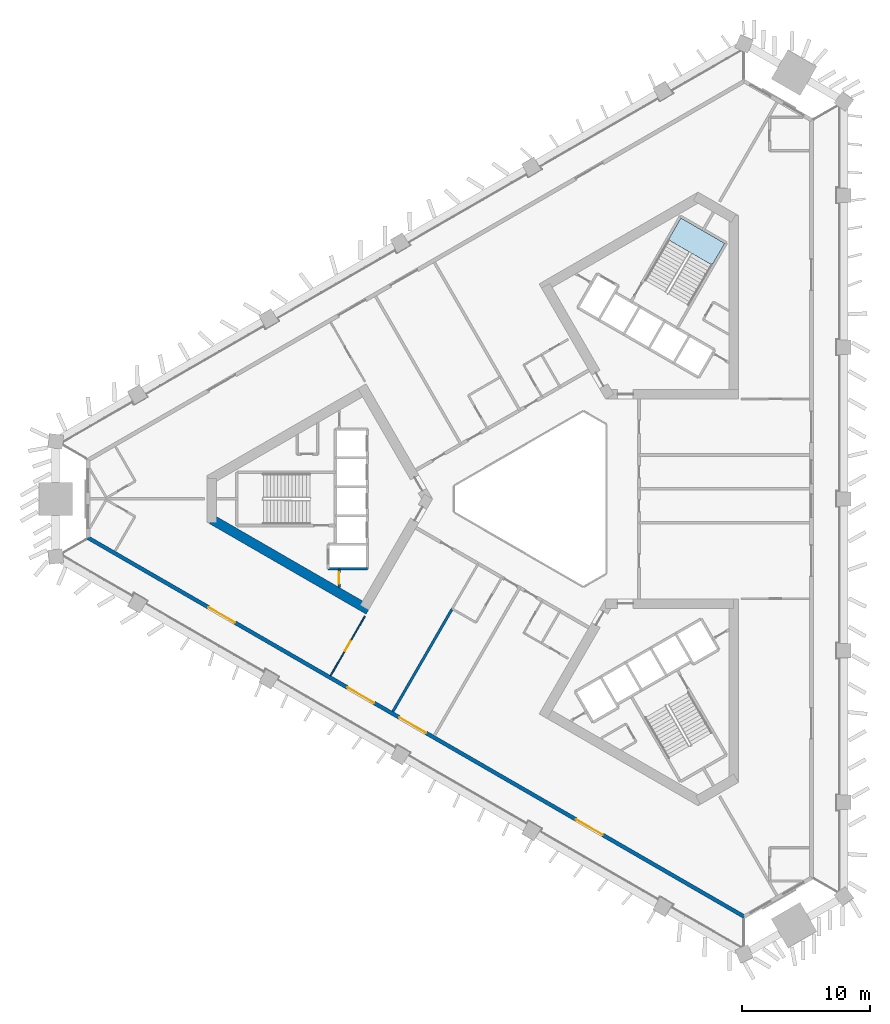
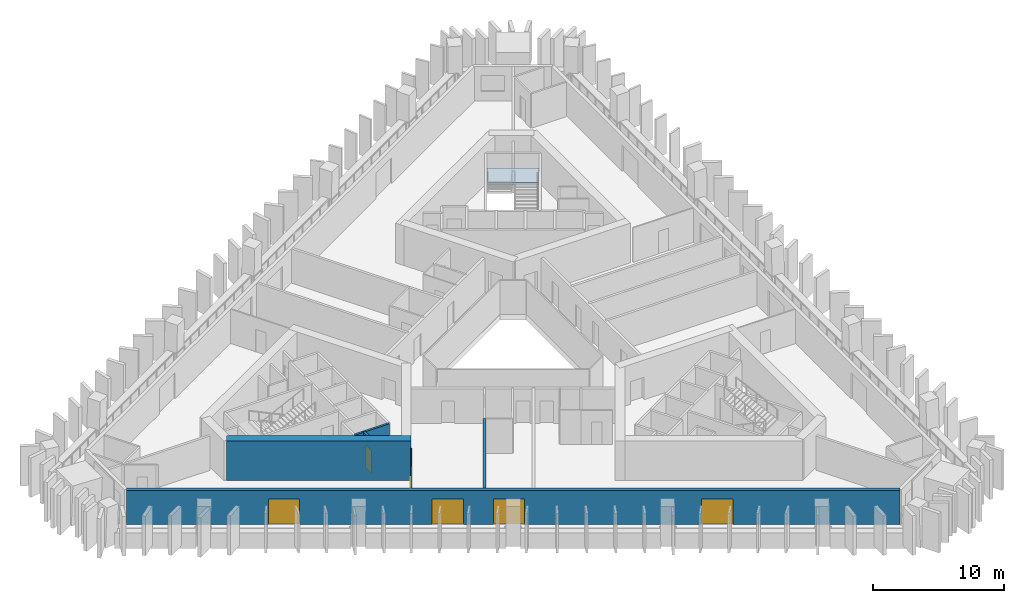
# One storey, part 2 of 11: 6 doors, 6 walls, 1 slab, 6 openings, 1 element without a shape of its own.
"""IFC4 building model written with IfcOpenShell, lengths in metres."""

from ifc_helpers import new_model, si_unit, direction, frame, frame_2d, origin, place, context, subcontext, project, spatial, polyline, rectangle, outline, extrude, material, layer, layer_set, type_object, element, fill, aggregate, save


model = new_model("IFC4")

# Units and contexts
model_context = context("Model", 3, precision=1e-05, world=origin(), true_north=direction((0.0, 1.0)))
body_context = subcontext(model_context, "Body", "Model", "MODEL_VIEW")
ifc_project = project(units=[si_unit("LENGTHUNIT", "METRE"), si_unit("AREAUNIT", "SQUARE_METRE"), si_unit("VOLUMEUNIT", "CUBIC_METRE"), si_unit("PLANEANGLEUNIT", "RADIAN"), si_unit("MASSUNIT", "GRAM", prefix="KILO")], contexts=[model_context])

# Site, building, storey
site_placement = place(None, origin())
site = spatial("IfcSite", under=ifc_project, at=site_placement, CompositionType="ELEMENT")
building_placement = place(site_placement, origin())
building = spatial("IfcBuilding", under=site, at=building_placement, Name="Jabali Bay Hotel Tower and Convention Centre", CompositionType="ELEMENT")
storey_placement = place(building_placement, frame((0.0, 0.0, 75.800048828125)))
storey = spatial("IfcBuildingStorey", under=building, at=storey_placement, Name="L17", CompositionType="ELEMENT", Elevation=75.800048828125)

# Stair, slab
ifc_material_1 = material(Name="Concrete C40", Category="concrete")
stair_type = type_object("IfcStairType", Name="Exit stair 1900", PredefinedType="HALF_TURN_STAIR", material=ifc_material_1)
stair_placement = place(storey_placement, origin())
stair = element("IfcStair", 1, at=stair_placement, inside=storey, type_object=stair_type, Name="L17 Exit Stair 2", PredefinedType="HALF_TURN_STAIR")
ifc_layer_1 = layer(ifc_material_1, 0.199951171875)
ifc_layer_set_1 = layer_set([ifc_layer_1], Name="Concrete C40")
slab_type = type_object("IfcSlabType", Name="Stair landing 200", PredefinedType="LANDING", material=ifc_layer_set_1)
slab_placement = place(storey_placement, frame((0.0, 0.0, 1.64990234375)))
slab = element("IfcSlab", 2, at=slab_placement, type_object=slab_type, Name="ST2 landing 1", PredefinedType="LANDING", context=body_context, shape_type="SweptSolid", body=[
    extrude(outline(polyline([(87.81884765625, 98.2529296875), (88.80029296875, 99.952880859375), (85.379638671875, 101.927978515625), (84.398193359375, 100.22802734375), (87.81884765625, 98.2529296875)])), origin(), (0.0, 0.0, 1.0), 0.199951171875),
])
aggregate(stair, [slab])

# Wall, opening, door
ifc_layer_2 = layer(ifc_material_1, 0.199951171875)
ifc_layer_set_2 = layer_set([ifc_layer_2], Name="Concrete C40")
wall_type_1 = type_object("IfcWallType", Name="Core partition wall 200", PredefinedType="PARTITIONING", material=ifc_layer_set_2)
wall_1_placement = place(storey_placement, frame((58.699951171875, 74.550048828125, 0.0), z_axis=(0.0, 0.0, 1.0), x_axis=(0.0, -1.0, 0.0)))
wall_1 = element("IfcWall", 3, at=wall_1_placement, inside=storey, type_object=wall_type_1, Name="Core wall 0.12 L17", PredefinedType="PARTITIONING", context=body_context, shape_type="SweptSolid", body=[
    extrude(rectangle(XDim=1.455078125, YDim=0.199951171875, at=frame_2d((0.7275390625, 0.0))), origin(), (0.0, 0.0, 1.0), 3.199951171875),
])
opening_1_placement = place(wall_1_placement, frame((0.277587890625, 0.0, 0.0)))
opening_1 = element("IfcOpeningElement", 4, at=opening_1_placement, cuts=wall_1, Name="Opening D422", PredefinedType="OPENING", context=body_context, shape_type="SweptSolid", body=[
    extrude(rectangle(XDim=0.89990234375, YDim=2.10009765625, at=frame_2d((0.449951171875, 1.050048828125))), frame((0.0, 0.1103515625, 0.0), z_axis=(0.0, -1.0, 0.0), x_axis=(1.0, 0.0, 0.0)), (0.0, 0.0, 1.0), 0.220947265625),
])
ifc_material_2 = material(Name="Fire-rated steel door", Category="steel")
door_type_1 = type_object("IfcDoorType", Name="Vestibule fire door 900 x 2100", OperationType="NOTDEFINED", PredefinedType="NOTDEFINED", material=ifc_material_2)
door_1_placement = place(opening_1_placement, origin())
door_1 = element("IfcDoor", 5, at=door_1_placement, inside=storey, type_object=door_type_1, Name="Vestibule fire door D422", OperationType="SINGLE_SWING_LEFT", OverallHeight=2.10009765625, OverallWidth=0.89990234375, PredefinedType="NOTDEFINED", context=body_context, shape_type="SweptSolid", body=[
    extrude(rectangle(XDim=0.89990234375, YDim=2.10009765625, at=frame_2d((0.449951171875, 1.050048828125))), frame((0.0, 0.02490234375, 0.0), z_axis=(0.0, -1.0, 0.0), x_axis=(1.0, 0.0, 0.0)), (0.0, 0.0, 1.0), 0.050048828125),
])
fill(opening_1, door_1)

# Walls
ifc_layer_3 = layer(ifc_material_1, 0.199951171875)
ifc_layer_set_3 = layer_set([ifc_layer_3], Name="Concrete C40")
wall_type_2 = type_object("IfcWallType", Name="Core stair wall 200", PredefinedType="SOLIDWALL", material=ifc_layer_set_3)
wall_2_placement = place(storey_placement, frame((60.89990234375, 74.550048828125, 0.0), z_axis=(0.0, 0.0, 1.0), x_axis=(-1.0, 0.0, 0.0)))
element("IfcWall", 6, at=wall_2_placement, inside=storey, type_object=wall_type_2, Name="Core wall 0.9 L17", PredefinedType="SOLIDWALL", context=body_context, shape_type="SweptSolid", body=[
    extrude(rectangle(XDim=3.0498046875, YDim=0.199951171875, at=frame_2d((1.52490234375, 0.0))), origin(), (0.0, 0.0, 1.0), 3.199951171875),
])
ifc_material_3 = material(Name="Concrete C60", Category="concrete")
ifc_layer_4 = layer(ifc_material_3, 0.75)
ifc_layer_set_4 = layer_set([ifc_layer_4], Name="Concrete C60")
wall_type_3 = type_object("IfcWallType", Name="Core wall 750", PredefinedType="SHEAR", material=ifc_layer_set_4)
wall_3_placement = place(storey_placement, frame((48.77197265625, 78.393798828125, 0.0), z_axis=(0.0, 0.0, 1.0), x_axis=(0.866028339916, -0.499994914436, 0.0)))
element("IfcWall", 7, at=wall_3_placement, inside=storey, type_object=wall_type_3, Name="Core wall 1.4 L17", PredefinedType="SHEAR", context=body_context, shape_type="SweptSolid", body=[
    extrude(rectangle(XDim=14.116943359375, YDim=0.75, at=frame_2d((7.05859375, 0.0))), origin(), (0.0, 0.0, 1.0), 3.699951171875),
])

# Wall, openings, doors
ifc_layer_5 = layer(ifc_material_1, 0.300048828125)
ifc_layer_set_5 = layer_set([ifc_layer_5], Name="Concrete C40")
wall_type_4 = type_object("IfcWallType", Name="External wall 300", PredefinedType="SOLIDWALL", material=ifc_layer_set_5)
wall_4_placement = place(storey_placement, frame((90.33203125, 47.3896484375, 0.0), z_axis=(0.0, 0.0, 1.0), x_axis=(-0.866024586246, 0.500001416016, 0.0)))
wall_4 = element("IfcWall", 8, at=wall_4_placement, inside=storey, type_object=wall_type_4, Name="External wall south-west face L17", PredefinedType="SOLIDWALL", context=body_context, shape_type="SweptSolid", body=[
    extrude(rectangle(XDim=59.166259765625, YDim=0.300048828125, at=frame_2d((29.5830078125, 0.0))), origin(), (0.0, 0.0, 1.0), 3.199951171875),
])
opening_2_placement = place(wall_4_placement, frame((28.695068359375, 0.0, 0.0)))
opening_2 = element("IfcOpeningElement", 9, at=opening_2_placement, cuts=wall_4, Name="Opening SD1", PredefinedType="OPENING", context=body_context, shape_type="SweptSolid", body=[
    extrude(rectangle(XDim=2.39990234375, YDim=2.39990234375, at=frame_2d((1.199951171875, 1.199951171875))), frame((0.0, 0.16064453125, 0.0), z_axis=(0.0, -1.0, 0.0), x_axis=(1.0, 0.0, 0.0)), (0.0, 0.0, 1.0), 0.321044921875),
])
opening_3_placement = place(wall_4_placement, frame((33.37158203125, 0.0, 0.0)))
opening_3 = element("IfcOpeningElement", 10, at=opening_3_placement, cuts=wall_4, Name="Opening SD1", PredefinedType="OPENING", context=body_context, shape_type="SweptSolid", body=[
    extrude(rectangle(XDim=2.39990234375, YDim=2.39990234375, at=frame_2d((1.199951171875, 1.199951171875))), frame((0.0, 0.16064453125, 0.0), z_axis=(0.0, -1.0, 0.0), x_axis=(1.0, 0.0, 0.0)), (0.0, 0.0, 1.0), 0.321044921875),
])
opening_4_placement = place(wall_4_placement, frame((45.902587890625, 0.0, 0.0)))
opening_4 = element("IfcOpeningElement", 11, at=opening_4_placement, cuts=wall_4, Name="Opening SD1", PredefinedType="OPENING", context=body_context, shape_type="SweptSolid", body=[
    extrude(rectangle(XDim=2.39990234375, YDim=2.39990234375, at=frame_2d((1.199951171875, 1.199951171875))), frame((0.0, 0.16064453125, 0.0), z_axis=(0.0, -1.0, 0.0), x_axis=(1.0, 0.0, 0.0)), (0.0, 0.0, 1.0), 0.321044921875),
])
opening_5_placement = place(wall_4_placement, frame((12.768798828125, 0.0, 0.0)))
opening_5 = element("IfcOpeningElement", 12, at=opening_5_placement, cuts=wall_4, Name="Opening SD1", PredefinedType="OPENING", context=body_context, shape_type="SweptSolid", body=[
    extrude(rectangle(XDim=2.39990234375, YDim=2.39990234375, at=frame_2d((1.199951171875, 1.199951171875))), frame((0.0, 0.16064453125, 0.0), z_axis=(0.0, -1.0, 0.0), x_axis=(1.0, 0.0, 0.0)), (0.0, 0.0, 1.0), 0.321044921875),
])
ifc_material_4 = material(Name="Glass", Category="glass")
door_type_2 = type_object("IfcDoorType", Name="Loggia sliding door 2400 x 2400", OperationType="NOTDEFINED", PredefinedType="NOTDEFINED", material=ifc_material_4)
door_2_placement = place(opening_2_placement, origin())
door_2 = element("IfcDoor", 13, at=door_2_placement, inside=storey, type_object=door_type_2, Name="Loggia sliding door 1709", OperationType="SLIDING_TO_LEFT", OverallHeight=2.39990234375, OverallWidth=2.39990234375, PredefinedType="NOTDEFINED", context=body_context, shape_type="SweptSolid", body=[
    extrude(rectangle(XDim=2.39990234375, YDim=2.39990234375, at=frame_2d((1.199951171875, 1.199951171875))), frame((0.0, 0.02490234375, 0.0), z_axis=(0.0, -1.0, 0.0), x_axis=(1.0, 0.0, 0.0)), (0.0, 0.0, 1.0), 0.050048828125),
])
fill(opening_2, door_2)
door_3_placement = place(opening_3_placement, origin())
door_3 = element("IfcDoor", 14, at=door_3_placement, inside=storey, type_object=door_type_2, Name="Loggia sliding door 1708", OperationType="SLIDING_TO_RIGHT", OverallHeight=2.39990234375, OverallWidth=2.39990234375, PredefinedType="NOTDEFINED", context=body_context, shape_type="SweptSolid", body=[
    extrude(rectangle(XDim=2.39990234375, YDim=2.39990234375, at=frame_2d((1.199951171875, 1.199951171875))), frame((0.0, 0.02490234375, 0.0), z_axis=(0.0, -1.0, 0.0), x_axis=(1.0, 0.0, 0.0)), (0.0, 0.0, 1.0), 0.050048828125),
])
fill(opening_3, door_3)
door_4_placement = place(opening_4_placement, origin())
door_4 = element("IfcDoor", 15, at=door_4_placement, inside=storey, type_object=door_type_2, Name="Loggia sliding door 1708", OperationType="SLIDING_TO_LEFT", OverallHeight=2.39990234375, OverallWidth=2.39990234375, PredefinedType="NOTDEFINED", context=body_context, shape_type="SweptSolid", body=[
    extrude(rectangle(XDim=2.39990234375, YDim=2.39990234375, at=frame_2d((1.199951171875, 1.199951171875))), frame((0.0, 0.02490234375, 0.0), z_axis=(0.0, -1.0, 0.0), x_axis=(1.0, 0.0, 0.0)), (0.0, 0.0, 1.0), 0.050048828125),
])
fill(opening_4, door_4)
door_5_placement = place(opening_5_placement, origin())
door_5 = element("IfcDoor", 16, at=door_5_placement, inside=storey, type_object=door_type_2, Name="Loggia sliding door 1710", OperationType="SLIDING_TO_RIGHT", OverallHeight=2.39990234375, OverallWidth=2.39990234375, PredefinedType="NOTDEFINED", context=body_context, shape_type="SweptSolid", body=[
    extrude(rectangle(XDim=2.39990234375, YDim=2.39990234375, at=frame_2d((1.199951171875, 1.199951171875))), frame((0.0, 0.02490234375, 0.0), z_axis=(0.0, -1.0, 0.0), x_axis=(1.0, 0.0, 0.0)), (0.0, 0.0, 1.0), 0.050048828125),
])
fill(opening_5, door_5)

# Wall, opening, door
ifc_material_5 = material(Name="Plasterboard on steel stud", Category="steel")
ifc_layer_6 = layer(ifc_material_5, 0.10009765625)
ifc_layer_set_6 = layer_set([ifc_layer_6], Name="Plasterboard on steel stud")
wall_type_5 = type_object("IfcWallType", Name="Partition 100 unit", PredefinedType="PARTITIONING", material=ifc_layer_set_6)
wall_5_placement = place(storey_placement, frame((60.71044921875, 70.83837890625, 0.0), z_axis=(0.0, 0.0, 1.0), x_axis=(-0.499974070055, -0.866040373927, 0.0)))
wall_5 = element("IfcWall", 17, at=wall_5_placement, inside=storey, type_object=wall_type_5, Name="Partition P02 L17 027", PredefinedType="PARTITIONING", context=body_context, shape_type="SweptSolid", body=[
    extrude(rectangle(XDim=5.347412109375, YDim=0.10009765625, at=frame_2d((2.673828125, 0.0))), origin(), (0.0, 0.0, 1.0), 3.199951171875),
])
opening_6_placement = place(wall_5_placement, frame((2.22412109375, 0.0, 0.0)))
opening_6 = element("IfcOpeningElement", 18, at=opening_6_placement, cuts=wall_5, Name="Opening 1718", PredefinedType="OPENING", context=body_context, shape_type="SweptSolid", body=[
    extrude(rectangle(XDim=0.89990234375, YDim=2.10009765625, at=frame_2d((0.449951171875, 1.050048828125))), frame((0.0, 0.060546875, 0.0), z_axis=(0.0, -1.0, 0.0), x_axis=(1.0, 0.0, 0.0)), (0.0, 0.0, 1.0), 0.12109375),
])
ifc_material_6 = material(Name="Timber", Category="wood")
door_type_3 = type_object("IfcDoorType", Name="Internal door 900 x 2100", OperationType="NOTDEFINED", PredefinedType="NOTDEFINED", material=ifc_material_6)
door_6_placement = place(opening_6_placement, origin())
door_6 = element("IfcDoor", 19, at=door_6_placement, inside=storey, type_object=door_type_3, Name="Door 1718", OperationType="SINGLE_SWING_RIGHT", OverallHeight=2.10009765625, OverallWidth=0.89990234375, PredefinedType="NOTDEFINED", context=body_context, shape_type="SweptSolid", body=[
    extrude(rectangle(XDim=0.89990234375, YDim=2.10009765625, at=frame_2d((0.449951171875, 1.050048828125))), frame((0.0, 0.02490234375, 0.0), z_axis=(0.0, -1.0, 0.0), x_axis=(1.0, 0.0, 0.0)), (0.0, 0.0, 1.0), 0.050048828125),
])
fill(opening_6, door_6)

# Wall
ifc_layer_7 = layer(ifc_material_5, 0.199951171875)
ifc_layer_set_7 = layer_set([ifc_layer_7], Name="Plasterboard on steel stud")
wall_type_6 = type_object("IfcWallType", Name="Partition 200 party", PredefinedType="PARTITIONING", material=ifc_layer_set_7)
wall_6_placement = place(storey_placement, frame((62.896728515625, 63.4013671875, 0.0), z_axis=(0.0, 0.0, 1.0), x_axis=(0.500016752221, 0.866015731669, 0.0)))
element("IfcWall", 20, at=wall_6_placement, inside=storey, type_object=wall_type_6, Name="Partition P01 L17 028", PredefinedType="PARTITIONING", context=body_context, shape_type="SweptSolid", body=[
    extrude(rectangle(XDim=9.263427734375, YDim=0.199951171875, at=frame_2d((4.6318359375, 0.0))), origin(), (0.0, 0.0, 1.0), 3.199951171875),
])

save(model, "model.ifc")
